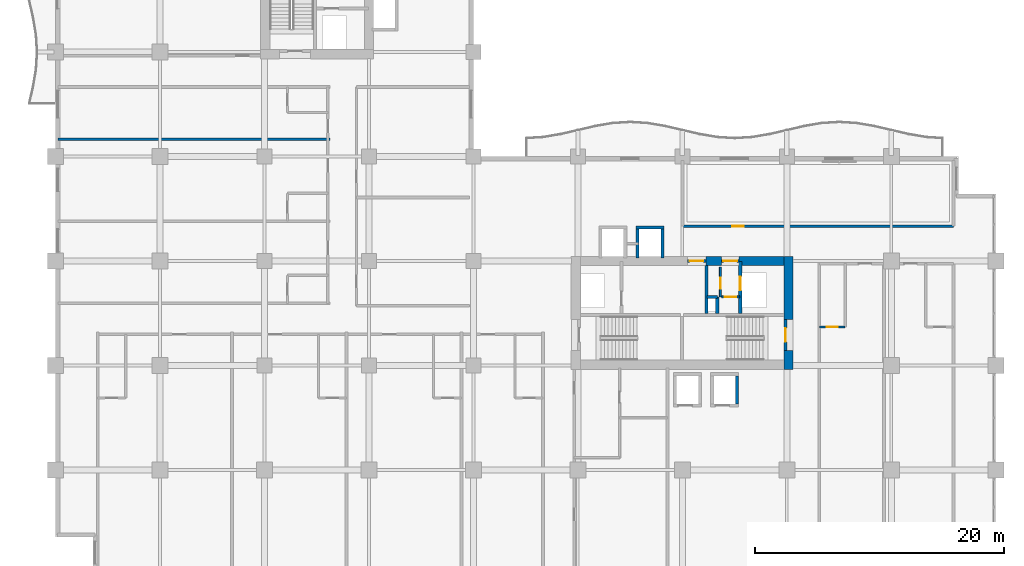
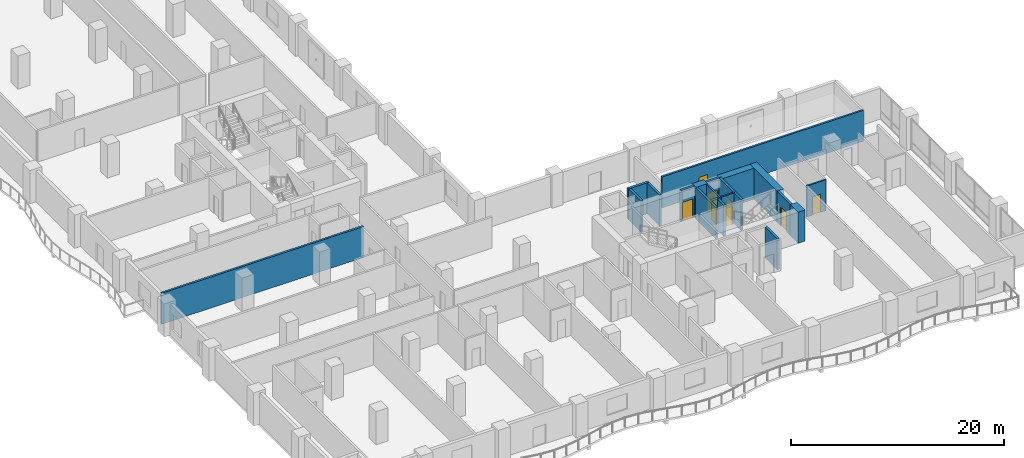
# One storey, part 11 of 23: 20 walls, 8 doors, 8 openings.
"""IFC4 building model written with IfcOpenShell, lengths in metres."""

from ifc_helpers import new_model, si_unit, direction, frame, frame_2d, origin, place, context, subcontext, project, spatial, rectangle, extrude, material, layer, layer_set, type_object, element, fill, save


model = new_model("IFC4")

# Units and contexts
model_context = context("Model", 3, precision=1e-05, world=origin(), true_north=direction((0.0, 1.0)))
body_context = subcontext(model_context, "Body", "Model", "MODEL_VIEW")
ifc_project = project(units=[si_unit("LENGTHUNIT", "METRE"), si_unit("AREAUNIT", "SQUARE_METRE"), si_unit("VOLUMEUNIT", "CUBIC_METRE"), si_unit("PLANEANGLEUNIT", "RADIAN"), si_unit("MASSUNIT", "GRAM", prefix="KILO")], contexts=[model_context])

# Site, building, storey
site_placement = place(None, origin())
site = spatial("IfcSite", under=ifc_project, at=site_placement, CompositionType="ELEMENT")
building_placement = place(site_placement, origin())
building = spatial("IfcBuilding", under=site, at=building_placement, Name="Koriwani Terraces Tower", CompositionType="ELEMENT")
storey_placement = place(building_placement, frame((0.0, 0.0, 119.0)))
storey = spatial("IfcBuildingStorey", under=building, at=storey_placement, Name="L28", CompositionType="ELEMENT", Elevation=119.0)

# Walls
ifc_material_1 = material(Name="Concrete C60/75", Category="concrete")
ifc_layer_1 = layer(ifc_material_1, 0.75, Name="Concrete C60/75")
ifc_layer_set_1 = layer_set([ifc_layer_1], Name="Concrete C60/75")
wall_type_1 = type_object("IfcWallType", Name="WALL_CORE_RC_750", PredefinedType="SHEAR", material=ifc_layer_set_1)
wall_1_placement = place(storey_placement, frame((58.925048828125, 16.5, 0.0), z_axis=(0.0, 0.0, 1.0), x_axis=(0.0, 1.0, 0.0)))
element("IfcWall", 1, at=wall_1_placement, inside=storey, type_object=wall_type_1, Name="L28 East Split Core Shear Wall E1", PredefinedType="SHEAR", context=body_context, shape_type="SweptSolid", body=[
    extrude(rectangle(XDim=1.5, YDim=0.75, at=frame_2d((0.75, 0.0))), origin(), (0.0, 0.0, 1.0), 3.550048828125),
])
wall_2_placement = place(storey_placement, frame((58.925048828125, 20.5, 0.0), z_axis=(0.0, 0.0, 1.0), x_axis=(0.0, 1.0, 0.0)))
element("IfcWall", 2, at=wall_2_placement, inside=storey, type_object=wall_type_1, Name="L28 East Split Core Shear Wall E2", PredefinedType="SHEAR", context=body_context, shape_type="SweptSolid", body=[
    extrude(rectangle(XDim=5.074951171875, YDim=0.75, at=frame_2d((2.53759765625, 0.0))), origin(), (0.0, 0.0, 1.0), 3.550048828125),
])
wall_3_placement = place(storey_placement, frame((52.280029296875, 25.199951171875, 0.0), z_axis=(0.0, 0.0, 1.0), x_axis=(1.0, 0.0, 0.0)))
element("IfcWall", 3, at=wall_3_placement, inside=storey, type_object=wall_type_1, Name="L28 East Split Core Shear Wall N2", PredefinedType="SHEAR", context=body_context, shape_type="SweptSolid", body=[
    extrude(rectangle(XDim=1.27001953125, YDim=0.75, at=frame_2d((0.635009765625, 0.0))), origin(), (0.0, 0.0, 1.0), 3.550048828125),
])
wall_4_placement = place(storey_placement, frame((54.949951171875, 25.199951171875, 0.0), z_axis=(0.0, 0.0, 1.0), x_axis=(1.0, 0.0, 0.0)))
element("IfcWall", 4, at=wall_4_placement, inside=storey, type_object=wall_type_1, Name="L28 East Split Core Shear Wall N3", PredefinedType="SHEAR", context=body_context, shape_type="SweptSolid", body=[
    extrude(rectangle(XDim=3.60009765625, YDim=0.75, at=frame_2d((1.800048828125, 0.0))), origin(), (0.0, 0.0, 1.0), 3.550048828125),
])

# Wall, opening, door
ifc_material_2 = material(Name="Autoclaved Cellular Concrete Blockwork", Category="masonry")
ifc_layer_2 = layer(ifc_material_2, 0.199951171875, Name="Autoclaved Cellular Concrete Blockwork")
ifc_layer_set_2 = layer_set([ifc_layer_2], Name="Autoclaved Cellular Concrete Blockwork")
wall_type_2 = type_object("IfcWallType", Name="WALL_CORRIDOR_200", PredefinedType="PARTITIONING", material=ifc_layer_set_2)
wall_5_placement = place(storey_placement, frame((50.39990234375, 28.0, 0.0), z_axis=(0.0, 0.0, 1.0), x_axis=(1.0, 0.0, 0.0)))
wall_5 = element("IfcWall", 5, at=wall_5_placement, inside=storey, type_object=wall_type_2, Name="L28 Interior Wall WSEC-S-L28", PredefinedType="PARTITIONING", context=body_context, shape_type="SweptSolid", body=[
    extrude(rectangle(XDim=21.800048828125, YDim=0.199951171875, at=frame_2d((10.89990234375, 0.0))), origin(), (0.0, 0.0, 1.0), 3.550048828125),
])
opening_1_placement = place(wall_5_placement, frame((4.0, 0.0, 0.0)))
opening_1 = element("IfcOpeningElement", 6, at=opening_1_placement, cuts=wall_5, Name="Opening D-06", PredefinedType="OPENING", context=body_context, shape_type="SweptSolid", body=[
    extrude(rectangle(XDim=0.919921875, YDim=2.10009765625, at=frame_2d((0.4599609375, 1.050048828125))), frame((0.0, 0.10986328125, 0.0), z_axis=(0.0, -1.0, 0.0), x_axis=(1.0, 0.0, 0.0)), (0.0, 0.0, 1.0), 0.219970703125),
])
ifc_material_3 = material(Name="Architectural Oak Fire Door", Category="wood")
door_type_1 = type_object("IfcDoorType", Name="DOOR_ROOM_INT_920X2100", OperationType="NOTDEFINED", PredefinedType="DOOR", material=ifc_material_3)
door_1_placement = place(opening_1_placement, origin())
door_1 = element("IfcDoor", 7, at=door_1_placement, inside=storey, type_object=door_type_1, Name="L28 East Court Study Door", OperationType="SINGLE_SWING_LEFT", OverallHeight=2.10009765625, OverallWidth=0.919921875, PredefinedType="DOOR", context=body_context, shape_type="SweptSolid", body=[
    extrude(rectangle(XDim=0.919921875, YDim=2.10009765625, at=frame_2d((0.4599609375, 1.050048828125))), frame((0.0, 0.02490234375, 0.0), z_axis=(0.0, -1.0, 0.0), x_axis=(1.0, 0.0, 0.0)), (0.0, 0.0, 1.0), 0.050048828125),
])
fill(opening_1, door_1)

# Wall
ifc_layer_3 = layer(ifc_material_2, 0.219970703125, Name="Autoclaved Cellular Concrete Blockwork")
ifc_layer_set_3 = layer_set([ifc_layer_3], Name="Autoclaved Cellular Concrete Blockwork")
wall_type_3 = type_object("IfcWallType", Name="WALL_DEMISING_220", PredefinedType="PARTITIONING", material=ifc_layer_set_3)
wall_6_placement = place(storey_placement, frame((0.199951171875, 35.0, 0.0), z_axis=(0.0, 0.0, 1.0), x_axis=(1.0, 0.0, 0.0)))
element("IfcWall", 8, at=wall_6_placement, inside=storey, type_object=wall_type_3, Name="L28 Interior Wall WDEM-L28-NW-2", PredefinedType="PARTITIONING", context=body_context, shape_type="SweptSolid", body=[
    extrude(rectangle(XDim=21.880126953125, YDim=0.219970703125, at=frame_2d((10.93994140625, 0.0))), origin(), (0.0, 0.0, 1.0), 3.550048828125),
])

# Wall, opening, door
ifc_material_4 = material(Name="Fire-Rated Acoustic Gypsum Partition", Category="masonry")
ifc_layer_4 = layer(ifc_material_4, 0.179931640625, Name="Fire-Rated Acoustic Gypsum Partition")
ifc_layer_set_4 = layer_set([ifc_layer_4], Name="Fire-Rated Acoustic Gypsum Partition")
wall_type_4 = type_object("IfcWallType", Name="WALL_PLUMBING_180", PredefinedType="PLUMBINGWALL", material=ifc_layer_set_4)
wall_7_placement = place(storey_placement, frame((61.39990234375, 19.89990234375, 0.0), z_axis=(0.0, 0.0, 1.0), x_axis=(1.0, 0.0, 0.0)))
wall_7 = element("IfcWall", 9, at=wall_7_placement, inside=storey, type_object=wall_type_4, Name="L28 Interior Wall WBTH1-L28-SE-0", PredefinedType="PLUMBINGWALL", context=body_context, shape_type="SweptSolid", body=[
    extrude(rectangle(XDim=2.080078125, YDim=0.179931640625, at=frame_2d((1.0400390625, 0.0))), origin(), (0.0, 0.0, 1.0), 3.550048828125),
])
opening_2_placement = place(wall_7_placement, frame((0.590087890625, 0.0, 0.0)))
opening_2 = element("IfcOpeningElement", 10, at=opening_2_placement, cuts=wall_7, Name="Opening D-07", PredefinedType="OPENING", context=body_context, shape_type="SweptSolid", body=[
    extrude(rectangle(XDim=0.89990234375, YDim=2.10009765625, at=frame_2d((0.449951171875, 1.050048828125))), frame((0.0, 0.10009765625, 0.0), z_axis=(0.0, -1.0, 0.0), x_axis=(1.0, 0.0, 0.0)), (0.0, 0.0, 1.0), 0.199951171875),
])
door_type_2 = type_object("IfcDoorType", Name="DOOR_BATH_INT_900X2100", OperationType="NOTDEFINED", PredefinedType="DOOR", material=ifc_material_3)
door_2_placement = place(opening_2_placement, origin())
door_2 = element("IfcDoor", 11, at=door_2_placement, inside=storey, type_object=door_type_2, Name="En-Suite Bathroom 28SE1 Door", OperationType="SINGLE_SWING_RIGHT", OverallHeight=2.10009765625, OverallWidth=0.89990234375, PredefinedType="DOOR", context=body_context, shape_type="SweptSolid", body=[
    extrude(rectangle(XDim=0.89990234375, YDim=2.10009765625, at=frame_2d((0.449951171875, 1.050048828125))), frame((0.0, 0.02490234375, 0.0), z_axis=(0.0, -1.0, 0.0), x_axis=(1.0, 0.0, 0.0)), (0.0, 0.0, 1.0), 0.050048828125),
])
fill(opening_2, door_2)

ifc_material_5 = material(Name="Concrete C40/50", Category="concrete")
ifc_layer_5 = layer(ifc_material_5, 0.25, Name="Concrete C40/50")
ifc_layer_set_5 = layer_set([ifc_layer_5], Name="Concrete C40/50")
wall_type_5 = type_object("IfcWallType", Name="WALL_SHAFT_RATED_250", PredefinedType="SOLIDWALL", material=ifc_layer_set_5)
wall_8_placement = place(storey_placement, frame((58.675048828125, 18.0, 0.0), z_axis=(0.0, 0.0, 1.0), x_axis=(0.0, 1.0, 0.0)))
wall_8 = element("IfcWall", 12, at=wall_8_placement, inside=storey, type_object=wall_type_5, Name="L28 Interior Wall WIN-CE-L28-STE", PredefinedType="SOLIDWALL", context=body_context, shape_type="SweptSolid", body=[
    extrude(rectangle(XDim=2.5, YDim=0.25, at=frame_2d((1.25, 0.0))), origin(), (0.0, 0.0, 1.0), 3.550048828125),
])
opening_3_placement = place(wall_8_placement, frame((0.699951171875, 0.0, 0.0)))
opening_3 = element("IfcOpeningElement", 13, at=opening_3_placement, cuts=wall_8, Name="Opening D-03", PredefinedType="OPENING", context=body_context, shape_type="SweptSolid", body=[
    extrude(rectangle(XDim=1.10009765625, YDim=2.14990234375, at=frame_2d((0.550048828125, 1.074951171875))), frame((0.0, 0.135009765625, 0.0), z_axis=(0.0, -1.0, 0.0), x_axis=(1.0, 0.0, 0.0)), (0.0, 0.0, 1.0), 0.27001953125),
])
ifc_material_6 = material(Name="Steel ASTM A572 Grade 50", Category="steel")
door_type_3 = type_object("IfcDoorType", Name="DOOR_STAIR_FIRE_1100X2150", OperationType="NOTDEFINED", PredefinedType="DOOR", material=ifc_material_6)
door_3_placement = place(opening_3_placement, origin())
door_3 = element("IfcDoor", 14, at=door_3_placement, inside=storey, type_object=door_type_3, Name="L28 Exit Stair ST-E2 Door", OperationType="SINGLE_SWING_LEFT", OverallHeight=2.14990234375, OverallWidth=1.10009765625, PredefinedType="DOOR", context=body_context, shape_type="SweptSolid", body=[
    extrude(rectangle(XDim=1.10009765625, YDim=2.14990234375, at=frame_2d((0.550048828125, 1.074951171875))), frame((0.0, 0.02490234375, 0.0), z_axis=(0.0, -1.0, 0.0), x_axis=(1.0, 0.0, 0.0)), (0.0, 0.0, 1.0), 0.050048828125),
])
fill(opening_3, door_3)

wall_9_placement = place(storey_placement, frame((50.800048828125, 25.199951171875, 0.0), z_axis=(0.0, 0.0, 1.0), x_axis=(1.0, 0.0, 0.0)))
wall_9 = element("IfcWall", 15, at=wall_9_placement, inside=storey, type_object=wall_type_5, Name="L28 Interior Wall WIN-CE-L28-NP", PredefinedType="SOLIDWALL", context=body_context, shape_type="SweptSolid", body=[
    extrude(rectangle(XDim=1.47998046875, YDim=0.25, at=frame_2d((0.739990234375, 0.0))), origin(), (0.0, 0.0, 1.0), 3.550048828125),
])
opening_4_placement = place(wall_9_placement, frame((0.179931640625, 0.0, 0.0)))
opening_4 = element("IfcOpeningElement", 16, at=opening_4_placement, cuts=wall_9, Name="Opening D-03", PredefinedType="OPENING", context=body_context, shape_type="SweptSolid", body=[
    extrude(rectangle(XDim=1.10009765625, YDim=2.14990234375, at=frame_2d((0.550048828125, 1.074951171875))), frame((0.0, 0.135009765625, 0.0), z_axis=(0.0, -1.0, 0.0), x_axis=(1.0, 0.0, 0.0)), (0.0, 0.0, 1.0), 0.27001953125),
])
door_4_placement = place(opening_4_placement, origin())
door_4 = element("IfcDoor", 17, at=door_4_placement, inside=storey, type_object=door_type_3, Name="L28 East Firefighting Lobby Door", OperationType="SINGLE_SWING_RIGHT", OverallHeight=2.14990234375, OverallWidth=1.10009765625, PredefinedType="DOOR", context=body_context, shape_type="SweptSolid", body=[
    extrude(rectangle(XDim=1.10009765625, YDim=2.14990234375, at=frame_2d((0.550048828125, 1.074951171875))), frame((0.0, 0.02490234375, 0.0), z_axis=(0.0, -1.0, 0.0), x_axis=(1.0, 0.0, 0.0)), (0.0, 0.0, 1.0), 0.050048828125),
])
fill(opening_4, door_4)

# Wall
wall_10_placement = place(storey_placement, frame((52.340087890625, 21.0, 0.0), z_axis=(0.0, 0.0, 1.0), x_axis=(0.0, 1.0, 0.0)))
element("IfcWall", 18, at=wall_10_placement, inside=storey, type_object=wall_type_5, Name="L28 Interior Wall WIN-CE-L28-FFE", PredefinedType="SOLIDWALL", context=body_context, shape_type="SweptSolid", body=[
    extrude(rectangle(XDim=3.824951171875, YDim=0.25, at=frame_2d((1.91259765625, 0.0))), origin(), (0.0, 0.0, 1.0), 3.550048828125),
])

# Wall, opening, door
wall_11_placement = place(storey_placement, frame((55.050048828125, 21.0, 0.0), z_axis=(0.0, 0.0, 1.0), x_axis=(0.0, 1.0, 0.0)))
wall_11 = element("IfcWall", 19, at=wall_11_placement, inside=storey, type_object=wall_type_5, Name="L28 Interior Wall WIN-CE-L28-SE", PredefinedType="SOLIDWALL", context=body_context, shape_type="SweptSolid", body=[
    extrude(rectangle(XDim=4.14990234375, YDim=0.25, at=frame_2d((2.074951171875, 0.0))), origin(), (0.0, 0.0, 1.0), 3.550048828125),
])
opening_5_placement = place(wall_11_placement, frame((1.85009765625, 0.0, 0.0)))
opening_5 = element("IfcOpeningElement", 20, at=opening_5_placement, cuts=wall_11, Name="Opening LD-01", PredefinedType="OPENING", context=body_context, shape_type="SweptSolid", body=[
    extrude(rectangle(XDim=1.10009765625, YDim=2.14990234375, at=frame_2d((0.550048828125, 1.074951171875))), frame((0.0, 0.135009765625, 0.0), z_axis=(0.0, -1.0, 0.0), x_axis=(1.0, 0.0, 0.0)), (0.0, 0.0, 1.0), 0.27001953125),
])
door_type_4 = type_object("IfcDoorType", Name="DOOR_LIFT_LANDING_1100X2200", OperationType="NOTDEFINED", PredefinedType="DOOR", material=ifc_material_6)
door_5_placement = place(opening_5_placement, origin())
door_5 = element("IfcDoor", 21, at=door_5_placement, inside=storey, type_object=door_type_4, Name="L28 Goods Lift SE-02 Landing Door", OperationType="SLIDING_TO_LEFT", OverallHeight=2.14990234375, OverallWidth=1.10009765625, PredefinedType="DOOR", context=body_context, shape_type="SweptSolid", body=[
    extrude(rectangle(XDim=1.10009765625, YDim=2.14990234375, at=frame_2d((0.550048828125, 1.074951171875))), frame((0.0, 0.02490234375, 0.0), z_axis=(0.0, -1.0, 0.0), x_axis=(1.0, 0.0, 0.0)), (0.0, 0.0, 1.0), 0.050048828125),
])
fill(opening_5, door_5)

wall_12_placement = place(storey_placement, frame((53.550048828125, 25.199951171875, 0.0), z_axis=(0.0, 0.0, 1.0), x_axis=(1.0, 0.0, 0.0)))
wall_12 = element("IfcWall", 22, at=wall_12_placement, inside=storey, type_object=wall_type_5, Name="L28 Interior Wall WIN-CE-L28-NP2", PredefinedType="SOLIDWALL", context=body_context, shape_type="SweptSolid", body=[
    extrude(rectangle(XDim=1.39990234375, YDim=0.25, at=frame_2d((0.699951171875, 0.0))), origin(), (0.0, 0.0, 1.0), 3.550048828125),
])
opening_6_placement = place(wall_12_placement, frame((0.14990234375, 0.0, 0.0)))
opening_6 = element("IfcOpeningElement", 23, at=opening_6_placement, cuts=wall_12, Name="Opening D-03", PredefinedType="OPENING", context=body_context, shape_type="SweptSolid", body=[
    extrude(rectangle(XDim=1.10009765625, YDim=2.14990234375, at=frame_2d((0.550048828125, 1.074951171875))), frame((0.0, 0.135009765625, 0.0), z_axis=(0.0, -1.0, 0.0), x_axis=(1.0, 0.0, 0.0)), (0.0, 0.0, 1.0), 0.27001953125),
])
door_6_placement = place(opening_6_placement, origin())
door_6 = element("IfcDoor", 24, at=door_6_placement, inside=storey, type_object=door_type_3, Name="L28 East Goods Lift Lobby Door", OperationType="SINGLE_SWING_LEFT", OverallHeight=2.14990234375, OverallWidth=1.10009765625, PredefinedType="DOOR", context=body_context, shape_type="SweptSolid", body=[
    extrude(rectangle(XDim=1.10009765625, YDim=2.14990234375, at=frame_2d((0.550048828125, 1.074951171875))), frame((0.0, 0.02490234375, 0.0), z_axis=(0.0, -1.0, 0.0), x_axis=(1.0, 0.0, 0.0)), (0.0, 0.0, 1.0), 0.050048828125),
])
fill(opening_6, door_6)

# Walls
wall_13_placement = place(storey_placement, frame((53.199951171875, 21.0, 0.0), z_axis=(0.0, 0.0, 1.0), x_axis=(0.0, 1.0, 0.0)))
element("IfcWall", 25, at=wall_13_placement, inside=storey, type_object=wall_type_5, Name="L28 Interior Wall WIN-CE-L28-RS1", PredefinedType="SOLIDWALL", context=body_context, shape_type="SweptSolid", body=[
    extrude(rectangle(XDim=1.300048828125, YDim=0.25, at=frame_2d((0.64990234375, 0.0))), origin(), (0.0, 0.0, 1.0), 3.550048828125),
])
wall_14_placement = place(storey_placement, frame((52.360107421875, 22.300048828125, 0.0), z_axis=(0.0, 0.0, 1.0), x_axis=(1.0, 0.0, 0.0)))
element("IfcWall", 26, at=wall_14_placement, inside=storey, type_object=wall_type_5, Name="L28 Interior Wall WIN-CE-L28-RS2", PredefinedType="SOLIDWALL", context=body_context, shape_type="SweptSolid", body=[
    extrude(rectangle(XDim=0.83984375, YDim=0.25, at=frame_2d((0.419921875, 0.0))), origin(), (0.0, 0.0, 1.0), 3.550048828125),
])
for number, where, z_axis, x_axis, name in (
    (27, (54.800048828125, 13.72509765625, 0.0), (0.0, 0.0, 1.0), (0.0, 1.0, 0.0), "L28 Interior Wall WIN-LF-PE-M4-L28-E"),
    (28, (46.675048828125, 27.89990234375, 0.0), (0.0, 0.0, 1.0), (1.0, 0.0, 0.0), "L28 Interior Wall WIN-LF-PE-H4-L28-F"),
):
    element("IfcWall", number, at=place(storey_placement, frame(where, z_axis=z_axis, x_axis=x_axis)), inside=storey, type_object=wall_type_5, Name=name, PredefinedType="SOLIDWALL", context=body_context, shape_type="SweptSolid", body=[
        extrude(rectangle(XDim=2.25, YDim=0.25, at=frame_2d((1.125, 0.0))), origin(), (0.0, 0.0, 1.0), 3.550048828125),
    ])
for number, where, z_axis, x_axis, name in (
    (29, (46.800048828125, 25.449951171875, 0.0), (0.0, 0.0, 1.0), (0.0, 1.0, 0.0), "L28 Interior Wall WIN-LF-PE-H4-L28-W"),
    (30, (48.800048828125, 25.449951171875, 0.0), (0.0, 0.0, 1.0), (0.0, 1.0, 0.0), "L28 Interior Wall WIN-LF-PE-H4-L28-E"),
):
    element("IfcWall", number, at=place(storey_placement, frame(where, z_axis=z_axis, x_axis=x_axis)), inside=storey, type_object=wall_type_5, Name=name, PredefinedType="SOLIDWALL", context=body_context, shape_type="SweptSolid", body=[
        extrude(rectangle(XDim=2.324951171875, YDim=0.25, at=frame_2d((1.16259765625, 0.0))), origin(), (0.0, 0.0, 1.0), 3.550048828125),
    ])

# Wall, opening, door
ifc_layer_6 = layer(ifc_material_4, 0.159912109375, Name="Fire-Rated Acoustic Gypsum Partition")
ifc_layer_set_6 = layer_set([ifc_layer_6], Name="Fire-Rated Acoustic Gypsum Partition")
wall_type_6 = type_object("IfcWallType", Name="WALL_SUITE_160", PredefinedType="PARTITIONING", material=ifc_layer_set_6)
wall_15_placement = place(storey_placement, frame((53.56005859375, 22.320068359375, 0.0), z_axis=(0.0, 0.0, 1.0), x_axis=(1.0, 0.0, 0.0)))
wall_15 = element("IfcWall", 31, at=wall_15_placement, inside=storey, type_object=wall_type_6, Name="L28 Interior Wall WIN-CE-L28-SV1A", PredefinedType="PARTITIONING", context=body_context, shape_type="SweptSolid", body=[
    extrude(rectangle(XDim=1.43994140625, YDim=0.159912109375, at=frame_2d((0.719970703125, 0.0))), origin(), (0.0, 0.0, 1.0), 3.550048828125),
])
opening_7_placement = place(wall_15_placement, frame((0.260009765625, 0.0, 0.0)))
opening_7 = element("IfcOpeningElement", 32, at=opening_7_placement, cuts=wall_15, Name="Opening D-07", PredefinedType="OPENING", context=body_context, shape_type="SweptSolid", body=[
    extrude(rectangle(XDim=0.89990234375, YDim=2.10009765625, at=frame_2d((0.449951171875, 1.050048828125))), frame((0.0, 0.08984375, 0.0), z_axis=(0.0, -1.0, 0.0), x_axis=(1.0, 0.0, 0.0)), (0.0, 0.0, 1.0), 0.179931640625),
])
door_7_placement = place(opening_7_placement, origin())
door_7 = element("IfcDoor", 33, at=door_7_placement, inside=storey, type_object=door_type_2, Name="L28 East Telecom Room Door", OperationType="SINGLE_SWING_RIGHT", OverallHeight=2.10009765625, OverallWidth=0.89990234375, PredefinedType="DOOR", context=body_context, shape_type="SweptSolid", body=[
    extrude(rectangle(XDim=0.89990234375, YDim=2.10009765625, at=frame_2d((0.449951171875, 1.050048828125))), frame((0.0, 0.02490234375, 0.0), z_axis=(0.0, -1.0, 0.0), x_axis=(1.0, 0.0, 0.0)), (0.0, 0.0, 1.0), 0.050048828125),
])
fill(opening_7, door_7)

wall_16_placement = place(storey_placement, frame((53.4599609375, 22.320068359375, 0.0), z_axis=(0.0, 0.0, 1.0), x_axis=(0.0, 1.0, 0.0)))
wall_16 = element("IfcWall", 34, at=wall_16_placement, inside=storey, type_object=wall_type_6, Name="L28 Interior Wall WIN-CE-L28-SV1B", PredefinedType="PARTITIONING", context=body_context, shape_type="SweptSolid", body=[
    extrude(rectangle(XDim=2.39990234375, YDim=0.159912109375, at=frame_2d((1.199951171875, 0.0))), origin(), (0.0, 0.0, 1.0), 3.550048828125),
])
opening_8_placement = place(wall_16_placement, frame((0.64990234375, 0.0, 0.0)))
opening_8 = element("IfcOpeningElement", 35, at=opening_8_placement, cuts=wall_16, Name="Opening D-07", PredefinedType="OPENING", context=body_context, shape_type="SweptSolid", body=[
    extrude(rectangle(XDim=0.89990234375, YDim=2.10009765625, at=frame_2d((0.449951171875, 1.050048828125))), frame((0.0, 0.08984375, 0.0), z_axis=(0.0, -1.0, 0.0), x_axis=(1.0, 0.0, 0.0)), (0.0, 0.0, 1.0), 0.179931640625),
])
door_8_placement = place(opening_8_placement, origin())
door_8 = element("IfcDoor", 36, at=door_8_placement, inside=storey, type_object=door_type_2, Name="L28 East Cleaners Closet Door", OperationType="SINGLE_SWING_LEFT", OverallHeight=2.10009765625, OverallWidth=0.89990234375, PredefinedType="DOOR", context=body_context, shape_type="SweptSolid", body=[
    extrude(rectangle(XDim=0.89990234375, YDim=2.10009765625, at=frame_2d((0.449951171875, 1.050048828125))), frame((0.0, 0.02490234375, 0.0), z_axis=(0.0, -1.0, 0.0), x_axis=(1.0, 0.0, 0.0)), (0.0, 0.0, 1.0), 0.050048828125),
])
fill(opening_8, door_8)

save(model, "model.ifc")
